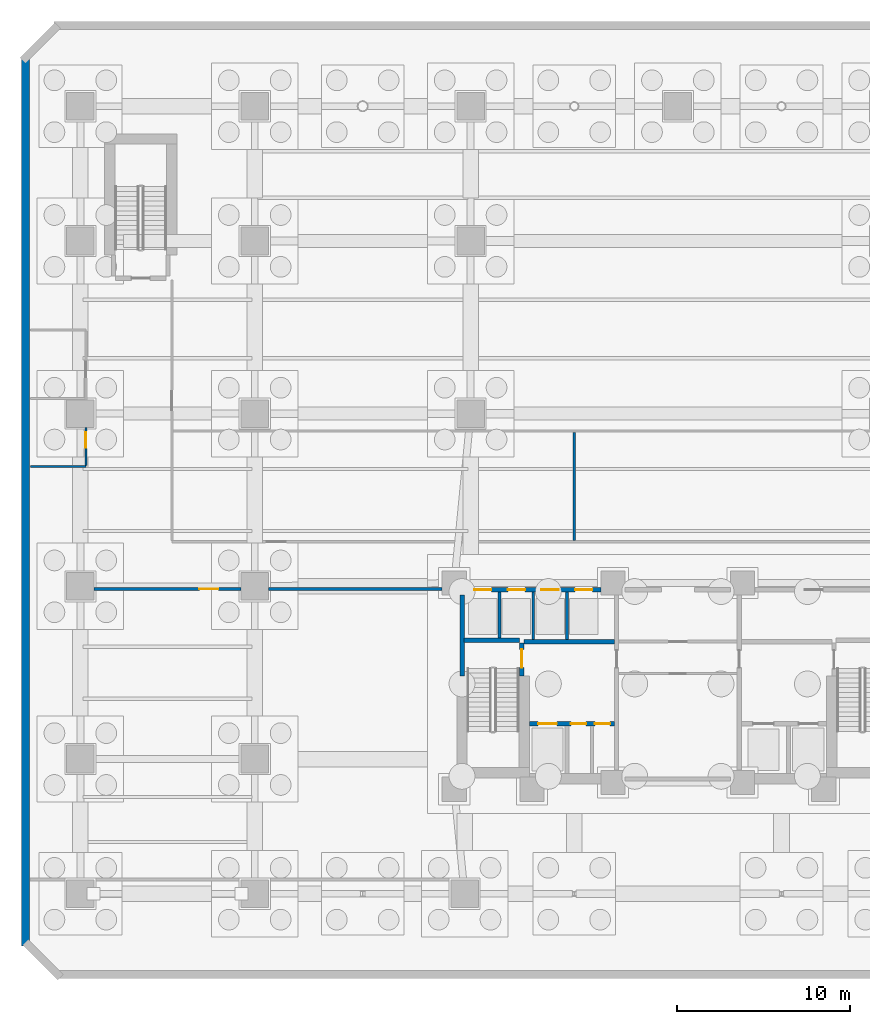
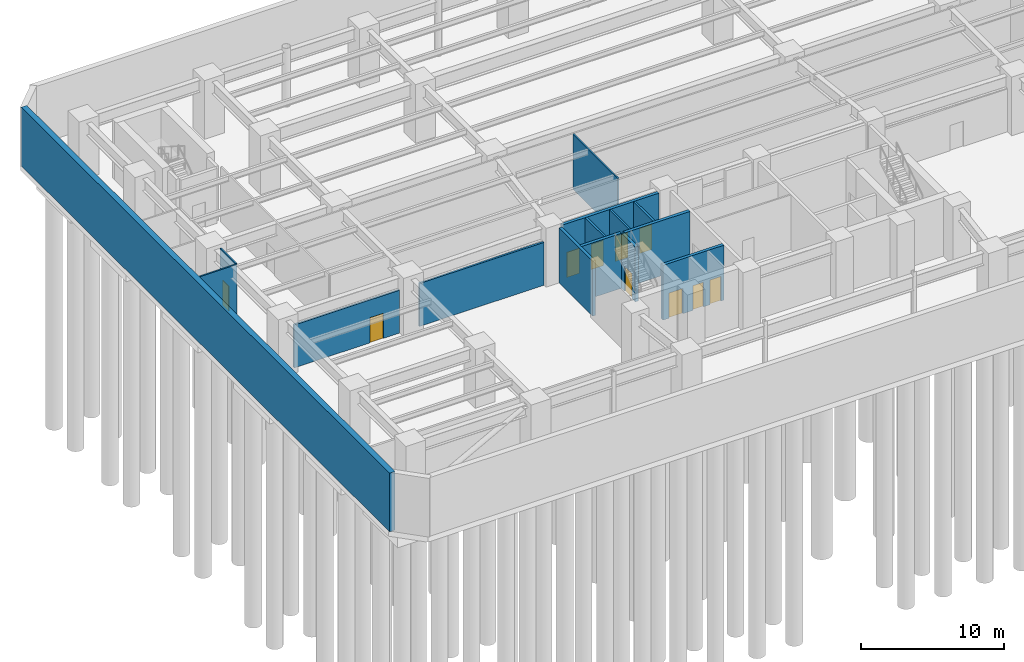
# One storey, part 8 of 15: 15 walls, 10 doors, 10 openings.
"""IFC4 building model written with IfcOpenShell, lengths in metres."""

from ifc_helpers import new_model, si_unit, direction, frame, frame_2d, origin, place, context, subcontext, project, spatial, rectangle, extrude, material, layer, layer_set, type_object, element, fill, save


model = new_model("IFC4")

# Units and contexts
model_context = context("Model", 3, precision=1e-05, world=origin(), true_north=direction((0.0, 1.0)))
body_context = subcontext(model_context, "Body", "Model", "MODEL_VIEW")
ifc_project = project(units=[si_unit("LENGTHUNIT", "METRE"), si_unit("AREAUNIT", "SQUARE_METRE"), si_unit("VOLUMEUNIT", "CUBIC_METRE"), si_unit("PLANEANGLEUNIT", "RADIAN"), si_unit("MASSUNIT", "GRAM", prefix="KILO")], contexts=[model_context])

# Site, building, storey
site_placement = place(None, origin())
site = spatial("IfcSite", under=ifc_project, at=site_placement, CompositionType="ELEMENT")
building_placement = place(site_placement, origin())
building = spatial("IfcBuilding", under=site, at=building_placement, Name="Quenlor Broadcast Tower", CompositionType="ELEMENT")
storey_placement = place(building_placement, frame((0.0, 0.0, -10.0)))
storey = spatial("IfcBuildingStorey", under=building, at=storey_placement, Name="B02", CompositionType="ELEMENT", Elevation=-10.0)

# Wall
ifc_material_1 = material(Name="Concrete C50/60", Category="concrete")
ifc_layer_1 = layer(ifc_material_1, 0.449951171875)
ifc_layer_set_1 = layer_set([ifc_layer_1], Name="Basement Concrete C50/60 Retaining Wall 450")
wall_type_1 = type_object("IfcWallType", Name="Basement Concrete C50/60 Retaining Wall 450", PredefinedType="USERDEFINED", material=ifc_layer_set_1)
wall_1_placement = place(storey_placement, frame((-37.77490234375, -25.831787109375, 0.0), z_axis=(0.0, 0.0, 1.0), x_axis=(0.0, 1.0, 0.0)))
element("IfcWall", 1, at=wall_1_placement, inside=storey, type_object=wall_type_1, Name="B02 Perimeter Retaining Wall 2", ObjectType="RETAININGWALL", PredefinedType="USERDEFINED", context=body_context, shape_type="SweptSolid", body=[
    extrude(rectangle(XDim=51.4384765625, YDim=0.449951171875, at=frame_2d((25.71923828125, 0.0))), origin(), (0.0, 0.0, 1.0), 5.0),
])

# Wall, opening, door
ifc_material_2 = material(Name="Concrete C40/50", Category="concrete")
ifc_layer_2 = layer(ifc_material_2, 0.25)
ifc_layer_set_2 = layer_set([ifc_layer_2], Name="Fire Rated Concrete C40/50 Core Wall 250")
wall_type_2 = type_object("IfcWallType", Name="Fire Rated Concrete C40/50 Core Wall 250", PredefinedType="PARTITIONING", material=ifc_layer_set_2)
wall_2_placement = place(storey_placement, frame((-9.0400390625, -10.179931640625, 0.0), z_axis=(0.0, 0.0, 1.0), x_axis=(0.0, 1.0, 0.0)))
wall_2 = element("IfcWall", 2, at=wall_2_placement, inside=storey, type_object=wall_type_2, Name="B02 Interior Wall CW-ST1-DR", PredefinedType="PARTITIONING", context=body_context, shape_type="SweptSolid", body=[
    extrude(rectangle(XDim=1.89990234375, YDim=0.25, at=frame_2d((0.949951171875, 0.0))), origin(), (0.0, 0.0, 1.0), 4.679931640625),
])
opening_1_placement = place(wall_2_placement, frame((0.47998046875, 0.0, 0.0)))
opening_1 = element("IfcOpeningElement", 3, at=opening_1_placement, cuts=wall_2, Name="Opening FD-1", PredefinedType="OPENING", context=body_context, shape_type="SweptSolid", body=[
    extrude(rectangle(XDim=1.050048828125, YDim=2.14990234375, at=frame_2d((0.52490234375, 1.074951171875))), frame((0.0, 0.135009765625, 0.0), z_axis=(0.0, -1.0, 0.0), x_axis=(1.0, 0.0, 0.0)), (0.0, 0.0, 1.0), 0.27001953125),
])
ifc_material_3 = material(Name="Fire Rated Steel Door Leaf", Category="steel")
door_type_1 = type_object("IfcDoorType", Name="Fire Isolated Stair Door 1050x2150", OperationType="NOTDEFINED", PredefinedType="DOOR", material=ifc_material_3)
door_1_placement = place(opening_1_placement, origin())
door_1 = element("IfcDoor", 4, at=door_1_placement, inside=storey, type_object=door_type_1, Name="B02 Door DR-ST1", OperationType="SINGLE_SWING_LEFT", OverallHeight=2.14990234375, OverallWidth=1.050048828125, PredefinedType="DOOR", context=body_context, shape_type="SweptSolid", body=[
    extrude(rectangle(XDim=1.050048828125, YDim=2.14990234375, at=frame_2d((0.52490234375, 1.074951171875))), frame((0.0, 0.02490234375, 0.0), z_axis=(0.0, -1.0, 0.0), x_axis=(1.0, 0.0, 0.0)), (0.0, 0.0, 1.0), 0.050048828125),
])
fill(opening_1, door_1)

# Walls
wall_3_placement = place(storey_placement, frame((-12.3798828125, -8.1201171875, 0.0), z_axis=(0.0, 0.0, 1.0), x_axis=(1.0, 0.0, 0.0)))
element("IfcWall", 5, at=wall_3_placement, inside=storey, type_object=wall_type_2, Name="B02 Interior Wall CW-ST1-N", PredefinedType="PARTITIONING", context=body_context, shape_type="SweptSolid", body=[
    extrude(rectangle(XDim=3.219970703125, YDim=0.25, at=frame_2d((1.60986328125, 0.0))), origin(), (0.0, 0.0, 1.0), 4.679931640625),
])
wall_4_placement = place(storey_placement, frame((-12.47998046875, -10.179931640625, 0.0), z_axis=(0.0, 0.0, 1.0), x_axis=(0.0, 1.0, 0.0)))
element("IfcWall", 6, at=wall_4_placement, inside=storey, type_object=wall_type_2, Name="B02 Interior Wall CW-ST1-W2", PredefinedType="PARTITIONING", context=body_context, shape_type="SweptSolid", body=[
    extrude(rectangle(XDim=4.677978515625, YDim=0.25, at=frame_2d((2.3388671875, 0.0))), origin(), (0.0, 0.0, 1.0), 4.679931640625),
])

# Wall, openings, doors
wall_5_placement = place(storey_placement, frame((-8.597900390625, -12.949951171875, 0.0), z_axis=(0.0, 0.0, 1.0), x_axis=(1.0, 0.0, 0.0)))
wall_5 = element("IfcWall", 7, at=wall_5_placement, inside=storey, type_object=wall_type_2, Name="B02 Interior Wall CW-FFW-S", PredefinedType="PARTITIONING", context=body_context, shape_type="SweptSolid", body=[
    extrude(rectangle(XDim=4.91796875, YDim=0.25, at=frame_2d((2.458984375, 0.0))), origin(), (0.0, 0.0, 1.0), 4.679931640625),
])
opening_2_placement = place(wall_5_placement, frame((0.498046875, 0.0, 0.0)))
opening_2 = element("IfcOpeningElement", 8, at=opening_2_placement, cuts=wall_5, Name="Opening LD-FFL-1", PredefinedType="OPENING", context=body_context, shape_type="SweptSolid", body=[
    extrude(rectangle(XDim=1.10009765625, YDim=2.14990234375, at=frame_2d((0.550048828125, 1.074951171875))), frame((0.0, 0.135009765625, 0.0), z_axis=(0.0, -1.0, 0.0), x_axis=(1.0, 0.0, 0.0)), (0.0, 0.0, 1.0), 0.27001953125),
])
opening_3_placement = place(wall_5_placement, frame((2.39794921875, 0.0, 0.0)))
opening_3 = element("IfcOpeningElement", 9, at=opening_3_placement, cuts=wall_5, Name="Opening TD-1", PredefinedType="OPENING", context=body_context, shape_type="SweptSolid", body=[
    extrude(rectangle(XDim=0.8798828125, YDim=2.10009765625, at=frame_2d((0.43994140625, 1.050048828125))), frame((0.0, 0.135009765625, 0.0), z_axis=(0.0, -1.0, 0.0), x_axis=(1.0, 0.0, 0.0)), (0.0, 0.0, 1.0), 0.27001953125),
])
opening_4_placement = place(wall_5_placement, frame((3.798095703125, 0.0, 0.0)))
opening_4 = element("IfcOpeningElement", 10, at=opening_4_placement, cuts=wall_5, Name="Opening TD-1", PredefinedType="OPENING", context=body_context, shape_type="SweptSolid", body=[
    extrude(rectangle(XDim=0.8798828125, YDim=2.10009765625, at=frame_2d((0.43994140625, 1.050048828125))), frame((0.0, 0.135009765625, 0.0), z_axis=(0.0, -1.0, 0.0), x_axis=(1.0, 0.0, 0.0)), (0.0, 0.0, 1.0), 0.27001953125),
])
ifc_material_4 = material(Name="Brushed Stainless Steel", Category="steel")
door_type_2 = type_object("IfcDoorType", Name="Emergency Lift Sliding Landing Door 1100x2150", OperationType="NOTDEFINED", PredefinedType="DOOR", material=ifc_material_4)
door_2_placement = place(opening_2_placement, origin())
door_2 = element("IfcDoor", 11, at=door_2_placement, inside=storey, type_object=door_type_2, Name="B02 Door LD-FFL-1", OperationType="SLIDING_TO_LEFT", OverallHeight=2.14990234375, OverallWidth=1.10009765625, PredefinedType="DOOR", context=body_context, shape_type="SweptSolid", body=[
    extrude(rectangle(XDim=1.10009765625, YDim=2.14990234375, at=frame_2d((0.550048828125, 1.074951171875))), frame((0.0, 0.02490234375, 0.0), z_axis=(0.0, -1.0, 0.0), x_axis=(1.0, 0.0, 0.0)), (0.0, 0.0, 1.0), 0.050048828125),
])
fill(opening_2, door_2)
ifc_material_5 = material(Name="Fire Rated Steel Access Panel", Category="steel")
door_type_3 = type_object("IfcDoorType", Name="Riser Shaft Rated Access Trapdoor 880x2100", OperationType="NOTDEFINED", PredefinedType="TRAPDOOR", material=ifc_material_5)
door_3_placement = place(opening_3_placement, origin())
door_3 = element("IfcDoor", 12, at=door_3_placement, inside=storey, type_object=door_type_3, Name="B02 Door DR-ELR", OperationType="SINGLE_SWING_LEFT", OverallHeight=2.10009765625, OverallWidth=0.8798828125, PredefinedType="TRAPDOOR", context=body_context, shape_type="SweptSolid", body=[
    extrude(rectangle(XDim=0.8798828125, YDim=2.10009765625, at=frame_2d((0.43994140625, 1.050048828125))), frame((0.0, 0.02490234375, 0.0), z_axis=(0.0, -1.0, 0.0), x_axis=(1.0, 0.0, 0.0)), (0.0, 0.0, 1.0), 0.050048828125),
])
fill(opening_3, door_3)
door_4_placement = place(opening_4_placement, origin())
door_4 = element("IfcDoor", 13, at=door_4_placement, inside=storey, type_object=door_type_3, Name="B02 Door DR-CMR", OperationType="SINGLE_SWING_RIGHT", OverallHeight=2.10009765625, OverallWidth=0.8798828125, PredefinedType="TRAPDOOR", context=body_context, shape_type="SweptSolid", body=[
    extrude(rectangle(XDim=0.8798828125, YDim=2.10009765625, at=frame_2d((0.43994140625, 1.050048828125))), frame((0.0, 0.02490234375, 0.0), z_axis=(0.0, -1.0, 0.0), x_axis=(1.0, 0.0, 0.0)), (0.0, 0.0, 1.0), 0.050048828125),
])
fill(opening_4, door_4)

# Wall
wall_6_placement = place(storey_placement, frame((-8.919921875, -8.199951171875, 0.0), z_axis=(0.0, 0.0, 1.0), x_axis=(1.0, 0.0, 0.0)))
element("IfcWall", 14, at=wall_6_placement, inside=storey, type_object=wall_type_2, Name="B02 Interior Wall CW-FFW-N", PredefinedType="PARTITIONING", context=body_context, shape_type="SweptSolid", body=[
    extrude(rectangle(XDim=5.239990234375, YDim=0.25, at=frame_2d((2.6201171875, 0.0))), origin(), (0.0, 0.0, 1.0), 4.679931640625),
])

# Wall, openings, doors
wall_7_placement = place(storey_placement, frame((-12.248046875, -5.199951171875, 0.0), z_axis=(0.0, 0.0, 1.0), x_axis=(1.0, 0.0, 0.0)))
wall_7 = element("IfcWall", 15, at=wall_7_placement, inside=storey, type_object=wall_type_2, Name="B02 Interior Wall CW-N-W", PredefinedType="PARTITIONING", context=body_context, shape_type="SweptSolid", body=[
    extrude(rectangle(XDim=7.796142578125, YDim=0.25, at=frame_2d((3.89794921875, 0.0))), origin(), (0.0, 0.0, 1.0), 4.679931640625),
])
opening_5_placement = place(wall_7_placement, frame((0.447998046875, 0.0, 0.0)))
opening_5 = element("IfcOpeningElement", 16, at=opening_5_placement, cuts=wall_7, Name="Opening LD-PL-L1", PredefinedType="OPENING", context=body_context, shape_type="SweptSolid", body=[
    extrude(rectangle(XDim=1.0, YDim=2.14990234375, at=frame_2d((0.5, 1.074951171875))), frame((0.0, 0.135009765625, 0.0), z_axis=(0.0, -1.0, 0.0), x_axis=(1.0, 0.0, 0.0)), (0.0, 0.0, 1.0), 0.27001953125),
])
opening_6_placement = place(wall_7_placement, frame((2.39794921875, 0.0, 0.0)))
opening_6 = element("IfcOpeningElement", 17, at=opening_6_placement, cuts=wall_7, Name="Opening LD-PL-L2", PredefinedType="OPENING", context=body_context, shape_type="SweptSolid", body=[
    extrude(rectangle(XDim=1.0, YDim=2.14990234375, at=frame_2d((0.5, 1.074951171875))), frame((0.0, 0.135009765625, 0.0), z_axis=(0.0, -1.0, 0.0), x_axis=(1.0, 0.0, 0.0)), (0.0, 0.0, 1.0), 0.27001953125),
])
opening_7_placement = place(wall_7_placement, frame((4.347900390625, 0.0, 0.0)))
opening_7 = element("IfcOpeningElement", 18, at=opening_7_placement, cuts=wall_7, Name="Opening LD-PL-L3", PredefinedType="OPENING", context=body_context, shape_type="SweptSolid", body=[
    extrude(rectangle(XDim=1.0, YDim=2.14990234375, at=frame_2d((0.5, 1.074951171875))), frame((0.0, 0.135009765625, 0.0), z_axis=(0.0, -1.0, 0.0), x_axis=(1.0, 0.0, 0.0)), (0.0, 0.0, 1.0), 0.27001953125),
])
opening_8_placement = place(wall_7_placement, frame((6.298095703125, 0.0, 0.0)))
opening_8 = element("IfcOpeningElement", 19, at=opening_8_placement, cuts=wall_7, Name="Opening LD-PL-L4", PredefinedType="OPENING", context=body_context, shape_type="SweptSolid", body=[
    extrude(rectangle(XDim=1.0, YDim=2.14990234375, at=frame_2d((0.5, 1.074951171875))), frame((0.0, 0.135009765625, 0.0), z_axis=(0.0, -1.0, 0.0), x_axis=(1.0, 0.0, 0.0)), (0.0, 0.0, 1.0), 0.27001953125),
])
ifc_material_6 = material(Name="Brushed Stainless Steel", Category="steel")
door_type_4 = type_object("IfcDoorType", Name="Passenger Lift Sliding Landing Door 1000x2150", OperationType="NOTDEFINED", PredefinedType="DOOR", material=ifc_material_6)
door_5_placement = place(opening_5_placement, origin())
door_5 = element("IfcDoor", 20, at=door_5_placement, inside=storey, type_object=door_type_4, Name="B02 Door LD-PL-L1", OperationType="SLIDING_TO_LEFT", OverallHeight=2.14990234375, OverallWidth=1.0, PredefinedType="DOOR", context=body_context, shape_type="SweptSolid", body=[
    extrude(rectangle(XDim=1.0, YDim=2.14990234375, at=frame_2d((0.5, 1.074951171875))), frame((0.0, 0.02490234375, 0.0), z_axis=(0.0, -1.0, 0.0), x_axis=(1.0, 0.0, 0.0)), (0.0, 0.0, 1.0), 0.050048828125),
])
fill(opening_5, door_5)
door_6_placement = place(opening_6_placement, origin())
door_6 = element("IfcDoor", 21, at=door_6_placement, inside=storey, type_object=door_type_4, Name="B02 Door LD-PL-L2", OperationType="SLIDING_TO_LEFT", OverallHeight=2.14990234375, OverallWidth=1.0, PredefinedType="DOOR", context=body_context, shape_type="SweptSolid", body=[
    extrude(rectangle(XDim=1.0, YDim=2.14990234375, at=frame_2d((0.5, 1.074951171875))), frame((0.0, 0.02490234375, 0.0), z_axis=(0.0, -1.0, 0.0), x_axis=(1.0, 0.0, 0.0)), (0.0, 0.0, 1.0), 0.050048828125),
])
fill(opening_6, door_6)
door_7_placement = place(opening_7_placement, origin())
door_7 = element("IfcDoor", 22, at=door_7_placement, inside=storey, type_object=door_type_4, Name="B02 Door LD-PL-L3", OperationType="SLIDING_TO_LEFT", OverallHeight=2.14990234375, OverallWidth=1.0, PredefinedType="DOOR", context=body_context, shape_type="SweptSolid", body=[
    extrude(rectangle(XDim=1.0, YDim=2.14990234375, at=frame_2d((0.5, 1.074951171875))), frame((0.0, 0.02490234375, 0.0), z_axis=(0.0, -1.0, 0.0), x_axis=(1.0, 0.0, 0.0)), (0.0, 0.0, 1.0), 0.050048828125),
])
fill(opening_7, door_7)
door_8_placement = place(opening_8_placement, origin())
door_8 = element("IfcDoor", 23, at=door_8_placement, inside=storey, type_object=door_type_4, Name="B02 Door LD-PL-L4", OperationType="SLIDING_TO_LEFT", OverallHeight=2.14990234375, OverallWidth=1.0, PredefinedType="DOOR", context=body_context, shape_type="SweptSolid", body=[
    extrude(rectangle(XDim=1.0, YDim=2.14990234375, at=frame_2d((0.5, 1.074951171875))), frame((0.0, 0.02490234375, 0.0), z_axis=(0.0, -1.0, 0.0), x_axis=(1.0, 0.0, 0.0)), (0.0, 0.0, 1.0), 0.050048828125),
])
fill(opening_8, door_8)

# Walls
ifc_material_7 = material(Name="Gypsum Fireboard Partition", Category="other")
ifc_layer_3 = layer(ifc_material_7, 0.159912109375)
ifc_layer_set_3 = layer_set([ifc_layer_3], Name="Fire Rated Shaft and Corridor Partition 160")
wall_type_3 = type_object("IfcWallType", Name="Fire Rated Shaft and Corridor Partition 160", PredefinedType="PARTITIONING", material=ifc_layer_set_3)
wall_8_placement = place(storey_placement, frame((-10.324951171875, -7.992919921875, 0.0), z_axis=(0.0, 0.0, 1.0), x_axis=(0.0, 1.0, 0.0)))
element("IfcWall", 24, at=wall_8_placement, inside=storey, type_object=wall_type_3, Name="B02 Interior Wall CW-PLL-D1", PredefinedType="PARTITIONING", context=body_context, shape_type="SweptSolid", body=[
    extrude(rectangle(XDim=2.65283203125, YDim=0.159912109375, at=frame_2d((1.326416015625, 0.0))), origin(), (0.0, 0.0, 1.0), 4.679931640625),
])
for number, where, z_axis, x_axis, name in (
    (25, (-8.375, -8.072998046875, 0.0), (0.0, 0.0, 1.0), (0.0, 1.0, 0.0), "B02 Interior Wall CW-PLL-D2"),
    (26, (-6.425048828125, -8.072998046875, 0.0), (0.0, 0.0, 1.0), (0.0, 1.0, 0.0), "B02 Interior Wall CW-PLL-D3"),
):
    element("IfcWall", number, at=place(storey_placement, frame(where, z_axis=z_axis, x_axis=x_axis)), inside=storey, type_object=wall_type_3, Name=name, PredefinedType="PARTITIONING", context=body_context, shape_type="SweptSolid", body=[
        extrude(rectangle(XDim=2.73291015625, YDim=0.159912109375, at=frame_2d((1.366455078125, 0.0))), origin(), (0.0, 0.0, 1.0), 4.679931640625),
    ])

# Wall, opening, door
wall_9_placement = place(storey_placement, frame((-33.798095703125, -5.14990234375, 0.0), z_axis=(0.0, 0.0, 1.0), x_axis=(1.0, 0.0, 0.0)))
wall_9 = element("IfcWall", 27, at=wall_9_placement, inside=storey, type_object=wall_type_3, Name="B02 Interior Wall PW-PD-CSW", PredefinedType="PARTITIONING", context=body_context, shape_type="SweptSolid", body=[
    extrude(rectangle(XDim=8.49609375, YDim=0.159912109375, at=frame_2d((4.248046875, 0.0))), origin(), (0.0, 0.0, 1.0), 3.656005859375),
])
opening_9_placement = place(wall_9_placement, frame((6.097900390625, 0.0, 0.0)))
opening_9 = element("IfcOpeningElement", 28, at=opening_9_placement, cuts=wall_9, Name="Opening ID-2", PredefinedType="OPENING", context=body_context, shape_type="SweptSolid", body=[
    extrude(rectangle(XDim=1.10009765625, YDim=2.14990234375, at=frame_2d((0.550048828125, 1.074951171875))), frame((0.0, 0.08984375, 0.0), z_axis=(0.0, -1.0, 0.0), x_axis=(1.0, 0.0, 0.0)), (0.0, 0.0, 1.0), 0.179931640625),
])
ifc_material_8 = material(Name="Acoustic Laminated Timber Oak", Category="wood")
door_type_5 = type_object("IfcDoorType", Name="Wide Studio Acoustic Timber Door 1100x2150", OperationType="NOTDEFINED", PredefinedType="DOOR", material=ifc_material_8)
door_9_placement = place(opening_9_placement, origin())
door_9 = element("IfcDoor", 29, at=door_9_placement, inside=storey, type_object=door_type_5, Name="B02 Door DR-PD1", OperationType="SINGLE_SWING_LEFT", OverallHeight=2.14990234375, OverallWidth=1.10009765625, PredefinedType="DOOR", context=body_context, shape_type="SweptSolid", body=[
    extrude(rectangle(XDim=1.10009765625, YDim=2.14990234375, at=frame_2d((0.550048828125, 1.074951171875))), frame((0.0, 0.02490234375, 0.0), z_axis=(0.0, -1.0, 0.0), x_axis=(1.0, 0.0, 0.0)), (0.0, 0.0, 1.0), 0.050048828125),
])
fill(opening_9, door_9)

# Walls
wall_10_placement = place(storey_placement, frame((-23.697998046875, -5.14990234375, 0.0), z_axis=(0.0, 0.0, 1.0), x_axis=(1.0, 0.0, 0.0)))
element("IfcWall", 30, at=wall_10_placement, inside=storey, type_object=wall_type_3, Name="B02 Interior Wall PW-PD-CSWS2", PredefinedType="PARTITIONING", context=body_context, shape_type="SweptSolid", body=[
    extrude(rectangle(XDim=10.0458984375, YDim=0.159912109375, at=frame_2d((5.02294921875, 0.0))), origin(), (0.0, 0.0, 1.0), 3.656005859375),
])
ifc_material_9 = material(Name="Gypsum Plasterboard Partition", Category="other")
ifc_layer_4 = layer(ifc_material_9, 0.1201171875)
ifc_layer_set_4 = layer_set([ifc_layer_4], Name="Standard Office Partition 120")
wall_type_4 = type_object("IfcWallType", Name="Standard Office Partition 120", PredefinedType="PARTITIONING", material=ifc_layer_set_4)
wall_11_placement = place(storey_placement, frame((-6.0, -2.337890625, 0.0), z_axis=(0.0, 0.0, 1.0), x_axis=(0.0, 1.0, 0.0)))
element("IfcWall", 31, at=wall_11_placement, inside=storey, type_object=wall_type_4, Name="B02 Interior Wall PW-PD-VX", PredefinedType="PARTITIONING", context=body_context, shape_type="SweptSolid", body=[
    extrude(rectangle(XDim=6.2578125, YDim=0.1201171875, at=frame_2d((3.12890625, 0.0))), origin(), (0.0, 0.0, 1.0), 4.679931640625),
])

# Wall, opening, door
wall_12_placement = place(storey_placement, frame((-34.280029296875, 2.010009765625, 0.0), z_axis=(0.0, 0.0, 1.0), x_axis=(0.0, 1.0, 0.0)))
wall_12 = element("IfcWall", 32, at=wall_12_placement, inside=storey, type_object=wall_type_4, Name="B02 Interior Wall PW-PD-WCE", PredefinedType="PARTITIONING", context=body_context, shape_type="SweptSolid", body=[
    extrude(rectangle(XDim=2.18798828125, YDim=0.1201171875, at=frame_2d((1.093994140625, 0.0))), origin(), (0.0, 0.0, 1.0), 4.679931640625),
])
opening_10_placement = place(wall_12_placement, frame((1.02001953125, 0.0, 0.0)))
opening_10 = element("IfcOpeningElement", 33, at=opening_10_placement, cuts=wall_12, Name="Opening ID-3", PredefinedType="OPENING", context=body_context, shape_type="SweptSolid", body=[
    extrude(rectangle(XDim=0.89990234375, YDim=2.1201171875, at=frame_2d((0.449951171875, 1.06005859375))), frame((0.0, 0.070068359375, 0.0), z_axis=(0.0, -1.0, 0.0), x_axis=(1.0, 0.0, 0.0)), (0.0, 0.0, 1.0), 0.14013671875),
])
ifc_material_10 = material(Name="Moisture Resistant Timber Oak", Category="wood")
door_type_6 = type_object("IfcDoorType", Name="Washroom Privacy Door 900x2120", OperationType="NOTDEFINED", PredefinedType="DOOR", material=ifc_material_10)
door_10_placement = place(opening_10_placement, origin())
door_10 = element("IfcDoor", 34, at=door_10_placement, inside=storey, type_object=door_type_6, Name="B02 Door DR-PD-MWC", OperationType="SINGLE_SWING_LEFT", OverallHeight=2.1201171875, OverallWidth=0.89990234375, PredefinedType="DOOR", context=body_context, shape_type="SweptSolid", body=[
    extrude(rectangle(XDim=0.89990234375, YDim=2.1201171875, at=frame_2d((0.449951171875, 1.06005859375))), frame((0.0, 0.02490234375, 0.0), z_axis=(0.0, -1.0, 0.0), x_axis=(1.0, 0.0, 0.0)), (0.0, 0.0, 1.0), 0.050048828125),
])
fill(opening_10, door_10)

# Wall
wall_13_placement = place(storey_placement, frame((-37.489990234375, 1.949951171875, 0.0), z_axis=(0.0, 0.0, 1.0), x_axis=(1.0, 0.0, 0.0)))
element("IfcWall", 35, at=wall_13_placement, inside=storey, type_object=wall_type_4, Name="B02 Interior Wall PW-PD-WCS", PredefinedType="PARTITIONING", context=body_context, shape_type="SweptSolid", body=[
    extrude(rectangle(XDim=3.2099609375, YDim=0.1201171875, at=frame_2d((1.60498046875, 0.0))), origin(), (0.0, 0.0, 1.0), 4.679931640625),
])

save(model, "model.ifc")
